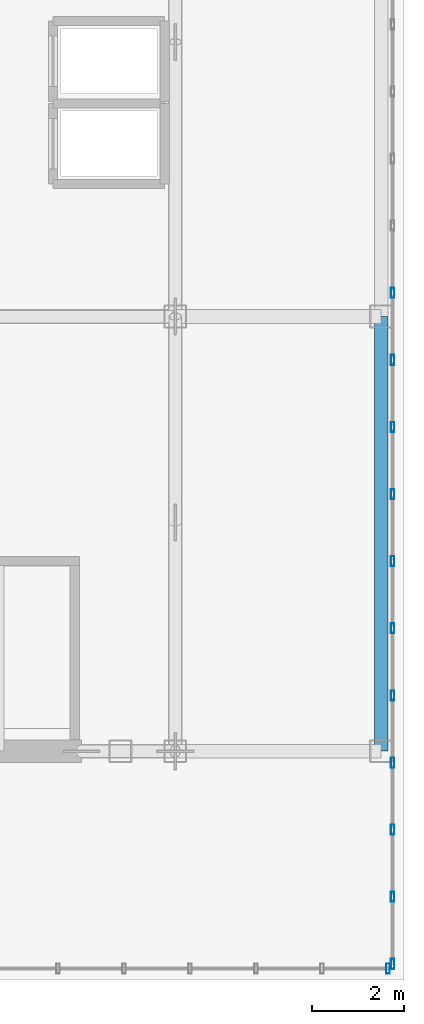
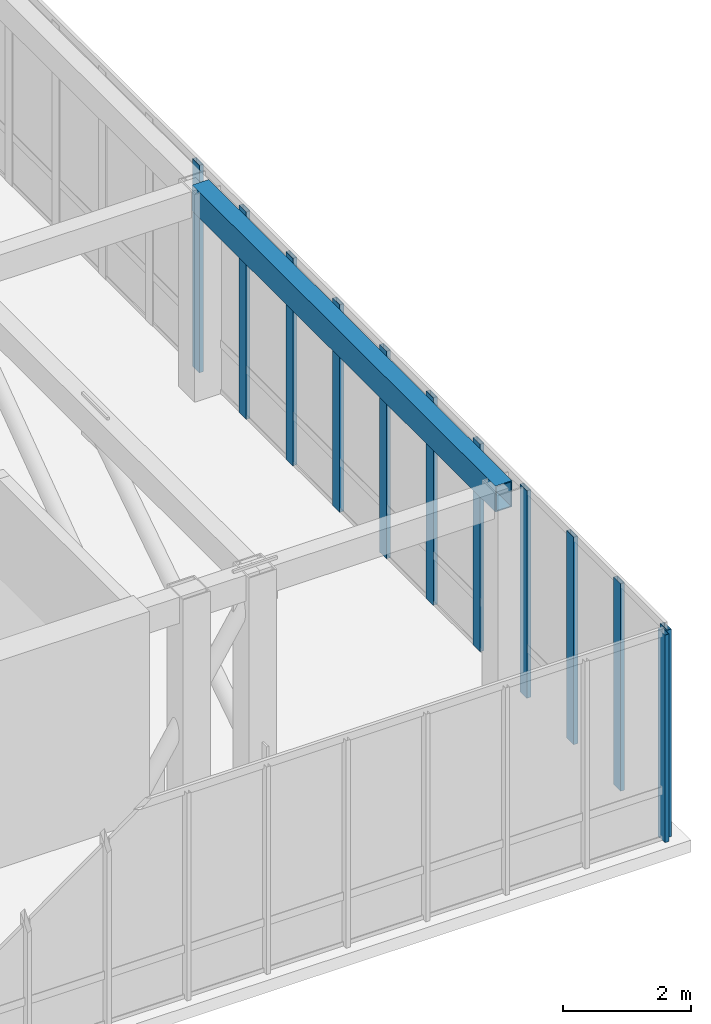
# One storey, part 6 of 13: 12 members, 1 beam, 2 elements without a shape of their own.
"""IFC4 building model written with IfcOpenShell, lengths in metres."""

import ifcopenshell
import ifcopenshell.guid

model = None  # the IFC model being written
_history = None  # IfcOwnerHistory: only IFC2X3 demands one
_inside = {}  # id of a spatial element -> (the spatial element, [elements in it])
_under = {}  # id of a project, library or spatial element -> (it, [spatial elements below it])
_declared = {}  # id of a project -> (the project, [libraries it declares])
_typed = {}  # id of a type object -> (the type object, [elements of that type])
_made_of = {}  # id of a material, layer set ... -> (it, [elements and type objects made of it])


def new_model(schema):
    """Start an empty IFC model of exactly this schema.

    Asked for "IFC4X3", IfcOpenShell would pick the latest addendum, in which some entities
    have other attributes; the version numbers below select the first issue.
    IFC2X3 requires an IfcOwnerHistory on every rooted entity: one is made here for all.
    """
    global model, _history
    if schema == "IFC4X3":
        model = ifcopenshell.file(schema_version=(4, 3, 0, 0))
    else:
        model = ifcopenshell.file(schema=schema)
    _inside.clear()
    _under.clear()
    _declared.clear()
    _typed.clear()
    _made_of.clear()
    _history = None
    if model.schema == "IFC2X3":
        org = make("IfcOrganization", Name="unknown")
        user = make(
            "IfcPersonAndOrganization",
            ThePerson=make("IfcPerson", FamilyName="unknown"),
            TheOrganization=org,
        )
        app = make(
            "IfcApplication",
            ApplicationDeveloper=org,
            Version="unknown",
            ApplicationFullName="unknown",
            ApplicationIdentifier="unknown",
        )
        _history = make(
            "IfcOwnerHistory",
            OwningUser=user,
            OwningApplication=app,
            ChangeAction="ADDED",
            CreationDate=0,
        )
    return model


def make(cls, **values):
    """One entity of the class cls with the attributes given. An attribute that is None is left unset."""
    return model.create_entity(
        cls, **{name: value for name, value in values.items() if value is not None}
    )


def rooted(cls, **values):
    """An entity with a GlobalId (a new one), such as an element, a storey or a relation."""
    return make(cls, GlobalId=ifcopenshell.guid.new(), OwnerHistory=_history, **values)


def si_unit(unit_type, name, prefix=None):
    """IfcSIUnit, for example si_unit("LENGTHUNIT", "METRE", prefix="MILLI")."""
    return make("IfcSIUnit", UnitType=unit_type, Prefix=prefix, Name=name)


def assignment(units):
    """IfcUnitAssignment: the units of a project."""
    return None if units is None else make("IfcUnitAssignment", Units=units)


def point(xyz):
    """IfcCartesianPoint."""
    return None if xyz is None else make("IfcCartesianPoint", Coordinates=xyz)


def direction(xyz):
    """IfcDirection."""
    return None if xyz is None else make("IfcDirection", DirectionRatios=xyz)


def frame(location, z_axis=None, x_axis=None):
    """IfcAxis2Placement3D, a coordinate frame: its origin and axes. An axis left out is left unset."""
    return make(
        "IfcAxis2Placement3D",
        Location=point(location),
        Axis=direction(z_axis),
        RefDirection=direction(x_axis),
    )


def frame_2d(location, x_axis=None):
    """IfcAxis2Placement2D, a coordinate frame in the plane: its origin and x axis."""
    return make(
        "IfcAxis2Placement2D", Location=point(location), RefDirection=direction(x_axis)
    )


def origin():
    """The frame at (0, 0, 0) with its axes left unset."""
    return frame((0.0, 0.0, 0.0))


def origin_2d():
    """The frame at (0, 0) in the plane with its x axis left unset."""
    return frame_2d((0.0, 0.0))


def place(relative_to, where):
    """IfcLocalPlacement: puts the frame where relative to a parent placement (None: the world)."""
    return make(
        "IfcLocalPlacement", PlacementRelTo=relative_to, RelativePlacement=where
    )


def context(
    kind, dimensions, precision=None, world=None, true_north=None, identifier=None
):
    """IfcGeometricRepresentationContext, for example the 3D "Model" context."""
    return make(
        "IfcGeometricRepresentationContext",
        ContextIdentifier=identifier,
        ContextType=kind,
        CoordinateSpaceDimension=dimensions,
        Precision=precision,
        WorldCoordinateSystem=world,
        TrueNorth=true_north,
    )


def subcontext(parent, identifier, kind, view, scale=None):
    """IfcGeometricRepresentationSubContext, for example "Body" below "Model"."""
    return make(
        "IfcGeometricRepresentationSubContext",
        ContextIdentifier=identifier,
        ContextType=kind,
        ParentContext=parent,
        TargetScale=scale,
        TargetView=view,
    )


def project(units=None, contexts=None):
    """IfcProject with its units and contexts."""
    return rooted(
        "IfcProject",
        Name="project",
        RepresentationContexts=contexts,
        UnitsInContext=assignment(units),
    )


def spatial(cls, under=None, at=None, **own):
    """A site, building, storey or space (cls), placed at a placement, below another one or the project."""
    s = rooted(cls, ObjectPlacement=at, **own)
    if under is not None:
        _under.setdefault(under.id(), (under, []))[1].append(s)
    return s


def profile(cls, at=None, kind="AREA", **sizes):
    """A parametric profile (cls). Its sizes go by their IFC names, for example OverallWidth=200.0."""
    return make(cls, ProfileType=kind, Position=at, **sizes)


def hollow_rectangle(**sizes):
    """IfcRectangleHollowProfileDef."""
    return profile("IfcRectangleHollowProfileDef", **sizes)


def extrude(swept, where, along, depth):
    """IfcExtrudedAreaSolid: the profile swept, set in the frame where, extruded along a direction by depth."""
    return make(
        "IfcExtrudedAreaSolid",
        SweptArea=swept,
        Position=where,
        ExtrudedDirection=direction(along),
        Depth=depth,
    )


def shape(context_of_items, identifier, shape_type, items):
    """IfcShapeRepresentation: the items that make up one representation, for example the "Body"."""
    return make(
        "IfcShapeRepresentation",
        ContextOfItems=context_of_items,
        RepresentationIdentifier=identifier,
        RepresentationType=shape_type,
        Items=items,
    )


def source(mapping_origin, context_of_items, identifier, shape_type, items):
    """IfcRepresentationMap: a shape defined once, which mapped items show again and again."""
    return make(
        "IfcRepresentationMap",
        MappingOrigin=mapping_origin,
        MappedRepresentation=shape(context_of_items, identifier, shape_type, items),
    )


def transform(
    local_origin,
    x_axis=None,
    y_axis=None,
    z_axis=None,
    scale=None,
    scale2=None,
    scale3=None,
    uniform=True,
):
    """IfcCartesianTransformationOperator3D, or its non-uniform kind. x_axis, y_axis, z_axis: its Axis1, 2, 3."""
    if uniform:
        return make(
            "IfcCartesianTransformationOperator3D",
            Axis1=direction(x_axis),
            Axis2=direction(y_axis),
            LocalOrigin=point(local_origin),
            Scale=scale,
            Axis3=direction(z_axis),
        )
    return make(
        "IfcCartesianTransformationOperator3DnonUniform",
        Axis1=direction(x_axis),
        Axis2=direction(y_axis),
        LocalOrigin=point(local_origin),
        Scale=scale,
        Axis3=direction(z_axis),
        Scale2=scale2,
        Scale3=scale3,
    )


def mapped(mapping_source, mapping_target):
    """IfcMappedItem: shows the shape of a source again, moved by a transform."""
    return make(
        "IfcMappedItem", MappingSource=mapping_source, MappingTarget=mapping_target
    )


def material(Name=None, Category=None):
    """IfcMaterial."""
    return make("IfcMaterial", Name=Name, Category=Category)


def layer(
    of_material, thickness, ventilated=None, Name=None, Category=None, Priority=None
):
    """IfcMaterialLayer: one layer of a wall or slab, of a material (None: an air gap)."""
    return make(
        "IfcMaterialLayer",
        Material=of_material,
        LayerThickness=thickness,
        IsVentilated=ventilated,
        Name=Name,
        Category=Category,
        Priority=Priority,
    )


def layer_set(layers, Name=None):
    """IfcMaterialLayerSet."""
    return make("IfcMaterialLayerSet", MaterialLayers=layers, LayerSetName=Name)


def material_profile(
    of_material, cross_section, Name=None, Category=None, Priority=None
):
    """IfcMaterialProfile: a cross section and its material."""
    return make(
        "IfcMaterialProfile",
        Name=Name,
        Material=of_material,
        Profile=cross_section,
        Priority=Priority,
        Category=Category,
    )


def profile_set(profiles, Name=None, composite=None):
    """IfcMaterialProfileSet."""
    return make(
        "IfcMaterialProfileSet",
        Name=Name,
        MaterialProfiles=profiles,
        CompositeProfile=composite,
    )


def made_of(thing, what):
    """Note that an element or type object is made of a material, layer set ...; save() writes the relation."""
    if what is not None:
        _made_of.setdefault(what.id(), (what, []))[1].append(thing)
    return thing


def type_object(cls, material=None, **own):
    """A type object (cls), such as IfcWallType, which elements share."""
    return made_of(rooted(cls, **own), material)


def element(
    cls,
    number,
    at=None,
    inside=None,
    cuts=None,
    type_object=None,
    material=None,
    context=None,
    identifier="Body",
    shape_type=None,
    held_by="IfcProductDefinitionShape",
    body=None,
    shapes=None,
    **own,
):
    """One element of the class cls, such as IfcWall. Its Tag is "e" and its number.

    at: its placement. inside: the storey or other place that contains it. cuts: it is an
    opening in that element (IfcRelVoidsElement). A single representation is given by context,
    identifier, shape_type and body (its items); several are given by shapes. held_by: the class
    of the entity that holds the representations. save() writes the other relations.
    """
    e = rooted(cls, Tag="e%d" % number, ObjectPlacement=at, **own)
    if body is not None:
        shapes = [shape(context, identifier, shape_type, body)]
    if shapes is not None:
        e.Representation = make(held_by, Representations=shapes)
    if inside is not None:
        _inside.setdefault(inside.id(), (inside, []))[1].append(e)
    if cuts is not None:
        rooted(
            "IfcRelVoidsElement", RelatingBuildingElement=cuts, RelatedOpeningElement=e
        )
    if type_object is not None:
        _typed.setdefault(type_object.id(), (type_object, []))[1].append(e)
    return made_of(e, material)


def aggregate(whole, parts):
    """IfcRelAggregates: a whole, such as a stair, and the parts it consists of."""
    return rooted("IfcRelAggregates", RelatingObject=whole, RelatedObjects=parts)


def save(model, path):
    """Write the relations noted so far, then the file.

    IfcRelAggregates (storeys below a building ...), IfcRelContainedInSpatialStructure (elements
    in a storey), IfcRelDefinesByType, IfcRelAssociatesMaterial and IfcRelDeclares: one each for
    every whole, place, type object, material and project.
    """
    for whole, parts in _under.values():
        aggregate(whole, parts)
    for where, things in _inside.values():
        rooted(
            "IfcRelContainedInSpatialStructure",
            RelatedElements=things,
            RelatingStructure=where,
        )
    for kind, things in _typed.values():
        rooted("IfcRelDefinesByType", RelatedObjects=things, RelatingType=kind)
    for what, things in _made_of.values():
        rooted("IfcRelAssociatesMaterial", RelatedObjects=things, RelatingMaterial=what)
    for by, libraries in _declared.values():
        rooted("IfcRelDeclares", RelatingContext=by, RelatedDefinitions=libraries)
    model.write(path)


model = new_model("IFC4")

# Units and contexts
model_context = context("Model", 3, precision=1e-05, world=origin(), true_north=direction((0.0, 1.0)))
body_context = subcontext(model_context, "Body", "Model", "MODEL_VIEW")
ifc_project = project(units=[si_unit("LENGTHUNIT", "METRE"), si_unit("AREAUNIT", "SQUARE_METRE"), si_unit("VOLUMEUNIT", "CUBIC_METRE"), si_unit("PLANEANGLEUNIT", "RADIAN"), si_unit("MASSUNIT", "GRAM", prefix="KILO")], contexts=[model_context])

# Site, building, storey
site_placement = place(None, origin())
site = spatial("IfcSite", under=ifc_project, at=site_placement, CompositionType="ELEMENT")
building_placement = place(site_placement, origin())
building = spatial("IfcBuilding", under=site, at=building_placement, Name="Kharzan Plaza Tower", CompositionType="ELEMENT")
storey_placement = place(building_placement, frame((0.0, 0.0, 277.199951171875)))
storey = spatial("IfcBuildingStorey", under=building, at=storey_placement, Name="L75-CROWN", CompositionType="ELEMENT", Elevation=277.199951171875)

# Beam
ifc_material_1 = material(Name="Steel S355", Category="steel")
ifc_material_profile_1 = material_profile(ifc_material_1, hollow_rectangle(XDim=0.300048828125, YDim=0.5, WallThickness=0.02001953125, at=origin_2d()), Name="RHS500x300x20")
ifc_profile_set_1 = profile_set([ifc_material_profile_1], Name="Steel S355")
beam_type = type_object("IfcBeamType", Name="BM-CRN500", PredefinedType="BEAM", material=ifc_profile_set_1)
shared_shape_1 = source(origin(), body_context, "Body", "SweptSolid", [
    extrude(hollow_rectangle(XDim=0.300048828125, YDim=0.5, WallThickness=0.02001953125, at=origin_2d()), origin(), (0.0, 0.0, 1.0), 9.5),
])
beam_placement = place(storey_placement, frame((19.0, 8.5, 3.719970703125), z_axis=(0.0, 1.0, 0.0), x_axis=(-1.0, 0.0, 0.0)))
element("IfcBeam", 1, at=beam_placement, inside=storey, type_object=beam_type, Name="L75-CROWN CROWN FRAME Lantern Ring Beam CRB-E1", PredefinedType="BEAM", context=body_context, shape_type="MappedRepresentation", body=[
    mapped(shared_shape_1, transform((0.0, 0.0, 0.0), x_axis=(1.0, 0.0, 0.0), y_axis=(0.0, 1.0, 0.0), z_axis=(0.0, 0.0, 1.0))),
])

# Curtain wall, member
ifc_material_2 = material(Name="Unitised Bronze-Anodized Aluminium and Low-E Glass", Category="aluminium")
ifc_layer = layer(ifc_material_2, 0.199951171875)
ifc_layer_set = layer_set([ifc_layer], Name="Unitised Bronze-Anodized Aluminium and Low-E Glass")
curtain_wall_type = type_object("IfcCurtainWallType", Name="CW-LANTERN-6", PredefinedType="NOTDEFINED", material=ifc_layer_set)
curtain_wall_1_placement = place(storey_placement, origin())
curtain_wall_1 = element("IfcCurtainWall", 2, at=curtain_wall_1_placement, inside=storey, type_object=curtain_wall_type, Name="L75-CROWN Lantern Crown Illuminated Curtain Wall 1", PredefinedType="NOTDEFINED")
ifc_material_3 = material(Name="Anodized Bronze Aluminium", Category="aluminium")
ifc_material_profile_2 = material_profile(ifc_material_3, hollow_rectangle(XDim=0.074951171875, YDim=0.219970703125, WallThickness=0.00390625, at=origin_2d()), Name="ALU-M220x75x4")
ifc_profile_set_2 = profile_set([ifc_material_profile_2], Name="Anodized Bronze Aluminium")
member_type = type_object("IfcMemberType", Name="MEM-CW-MUL200", PredefinedType="MULLION", material=ifc_profile_set_2)
shared_shape_2 = source(origin(), body_context, "Body", "SweptSolid", [
    extrude(hollow_rectangle(XDim=0.074951171875, YDim=0.219970703125, WallThickness=0.00390625, at=origin_2d()), origin(), (0.0, 0.0, 1.0), 3.969970703125),
])
member_1_placement = place(storey_placement, frame((19.14990234375, 3.75, 0.0), z_axis=(0.0, 0.0, 1.0), x_axis=(1.0, 0.0, 0.0)))
member_1 = element("IfcMember", 3, at=member_1_placement, type_object=member_type, Name="L75-CROWN Curtain-Wall Mullion 12", PredefinedType="MULLION", context=body_context, shape_type="MappedRepresentation", body=[
    mapped(shared_shape_2, transform((0.0, 0.0, 0.0), x_axis=(1.0, 0.0, 0.0), y_axis=(0.0, 1.0, 0.0), z_axis=(0.0, 0.0, 1.0))),
])
aggregate(curtain_wall_1, [member_1])

# Curtain wall, members
curtain_wall_2_placement = place(storey_placement, origin())
curtain_wall_2 = element("IfcCurtainWall", 4, at=curtain_wall_2_placement, inside=storey, type_object=curtain_wall_type, Name="L75-CROWN Lantern Crown Illuminated Curtain Wall 2", PredefinedType="NOTDEFINED")
member_2_placement = place(storey_placement, frame((19.25, 3.85009765625, 0.0), z_axis=(0.0, 0.0, 1.0), x_axis=(1.0, 0.0, 0.0)))
member_2 = element("IfcMember", 5, at=member_2_placement, type_object=member_type, Name="L75-CROWN Curtain-Wall Mullion 00", PredefinedType="MULLION", context=body_context, shape_type="MappedRepresentation", body=[
    mapped(shared_shape_2, transform((0.0, 0.0, 0.0), x_axis=(1.0, 0.0, 0.0), y_axis=(0.0, 1.0, 0.0), z_axis=(0.0, 0.0, 1.0))),
])
member_3_placement = place(storey_placement, frame((19.25, 5.316650390625, 0.0), z_axis=(0.0, 0.0, 1.0), x_axis=(1.0, 0.0, 0.0)))
member_3 = element("IfcMember", 6, at=member_3_placement, type_object=member_type, Name="L75-CROWN Curtain-Wall Mullion 01", PredefinedType="MULLION", context=body_context, shape_type="MappedRepresentation", body=[
    mapped(shared_shape_2, transform((0.0, 0.0, 0.0), x_axis=(1.0, 0.0, 0.0), y_axis=(0.0, 1.0, 0.0), z_axis=(0.0, 0.0, 1.0))),
])
member_4_placement = place(storey_placement, frame((19.25, 6.783203125, 0.0), z_axis=(0.0, 0.0, 1.0), x_axis=(1.0, 0.0, 0.0)))
member_4 = element("IfcMember", 7, at=member_4_placement, type_object=member_type, Name="L75-CROWN Curtain-Wall Mullion 02", PredefinedType="MULLION", context=body_context, shape_type="MappedRepresentation", body=[
    mapped(shared_shape_2, transform((0.0, 0.0, 0.0), x_axis=(1.0, 0.0, 0.0), y_axis=(0.0, 1.0, 0.0), z_axis=(0.0, 0.0, 1.0))),
])
member_5_placement = place(storey_placement, frame((19.25, 8.25, 0.0), z_axis=(0.0, 0.0, 1.0), x_axis=(1.0, 0.0, 0.0)))
member_5 = element("IfcMember", 8, at=member_5_placement, type_object=member_type, Name="L75-CROWN Curtain-Wall Mullion 03", PredefinedType="MULLION", context=body_context, shape_type="MappedRepresentation", body=[
    mapped(shared_shape_2, transform((0.0, 0.0, 0.0), x_axis=(1.0, 0.0, 0.0), y_axis=(0.0, 1.0, 0.0), z_axis=(0.0, 0.0, 1.0))),
])
member_6_placement = place(storey_placement, frame((19.25, 9.716796875, 0.0), z_axis=(0.0, 0.0, 1.0), x_axis=(1.0, 0.0, 0.0)))
member_6 = element("IfcMember", 9, at=member_6_placement, type_object=member_type, Name="L75-CROWN Curtain-Wall Mullion 04", PredefinedType="MULLION", context=body_context, shape_type="MappedRepresentation", body=[
    mapped(shared_shape_2, transform((0.0, 0.0, 0.0), x_axis=(1.0, 0.0, 0.0), y_axis=(0.0, 1.0, 0.0), z_axis=(0.0, 0.0, 1.0))),
])
member_7_placement = place(storey_placement, frame((19.25, 11.183349609375, 0.0), z_axis=(0.0, 0.0, 1.0), x_axis=(1.0, 0.0, 0.0)))
member_7 = element("IfcMember", 10, at=member_7_placement, type_object=member_type, Name="L75-CROWN Curtain-Wall Mullion 05", PredefinedType="MULLION", context=body_context, shape_type="MappedRepresentation", body=[
    mapped(shared_shape_2, transform((0.0, 0.0, 0.0), x_axis=(1.0, 0.0, 0.0), y_axis=(0.0, 1.0, 0.0), z_axis=(0.0, 0.0, 1.0))),
])
member_8_placement = place(storey_placement, frame((19.25, 12.64990234375, 0.0), z_axis=(0.0, 0.0, 1.0), x_axis=(1.0, 0.0, 0.0)))
member_8 = element("IfcMember", 11, at=member_8_placement, type_object=member_type, Name="L75-CROWN Curtain-Wall Mullion 06", PredefinedType="MULLION", context=body_context, shape_type="MappedRepresentation", body=[
    mapped(shared_shape_2, transform((0.0, 0.0, 0.0), x_axis=(1.0, 0.0, 0.0), y_axis=(0.0, 1.0, 0.0), z_axis=(0.0, 0.0, 1.0))),
])
member_9_placement = place(storey_placement, frame((19.25, 14.11669921875, 0.0), z_axis=(0.0, 0.0, 1.0), x_axis=(1.0, 0.0, 0.0)))
member_9 = element("IfcMember", 12, at=member_9_placement, type_object=member_type, Name="L75-CROWN Curtain-Wall Mullion 07", PredefinedType="MULLION", context=body_context, shape_type="MappedRepresentation", body=[
    mapped(shared_shape_2, transform((0.0, 0.0, 0.0), x_axis=(1.0, 0.0, 0.0), y_axis=(0.0, 1.0, 0.0), z_axis=(0.0, 0.0, 1.0))),
])
member_10_placement = place(storey_placement, frame((19.25, 15.583251953125, 0.0), z_axis=(0.0, 0.0, 1.0), x_axis=(1.0, 0.0, 0.0)))
member_10 = element("IfcMember", 13, at=member_10_placement, type_object=member_type, Name="L75-CROWN Curtain-Wall Mullion 08", PredefinedType="MULLION", context=body_context, shape_type="MappedRepresentation", body=[
    mapped(shared_shape_2, transform((0.0, 0.0, 0.0), x_axis=(1.0, 0.0, 0.0), y_axis=(0.0, 1.0, 0.0), z_axis=(0.0, 0.0, 1.0))),
])
member_11_placement = place(storey_placement, frame((19.25, 17.050048828125, 0.0), z_axis=(0.0, 0.0, 1.0), x_axis=(1.0, 0.0, 0.0)))
member_11 = element("IfcMember", 14, at=member_11_placement, type_object=member_type, Name="L75-CROWN Curtain-Wall Mullion 09", PredefinedType="MULLION", context=body_context, shape_type="MappedRepresentation", body=[
    mapped(shared_shape_2, transform((0.0, 0.0, 0.0), x_axis=(1.0, 0.0, 0.0), y_axis=(0.0, 1.0, 0.0), z_axis=(0.0, 0.0, 1.0))),
])
member_12_placement = place(storey_placement, frame((19.25, 18.5166015625, 0.0), z_axis=(0.0, 0.0, 1.0), x_axis=(1.0, 0.0, 0.0)))
member_12 = element("IfcMember", 15, at=member_12_placement, type_object=member_type, Name="L75-CROWN Curtain-Wall Mullion 10", PredefinedType="MULLION", context=body_context, shape_type="MappedRepresentation", body=[
    mapped(shared_shape_2, transform((0.0, 0.0, 0.0), x_axis=(1.0, 0.0, 0.0), y_axis=(0.0, 1.0, 0.0), z_axis=(0.0, 0.0, 1.0))),
])
aggregate(curtain_wall_2, [member_2, member_3, member_4, member_5, member_6, member_7, member_8, member_9, member_10, member_11, member_12])

save(model, "model.ifc")
